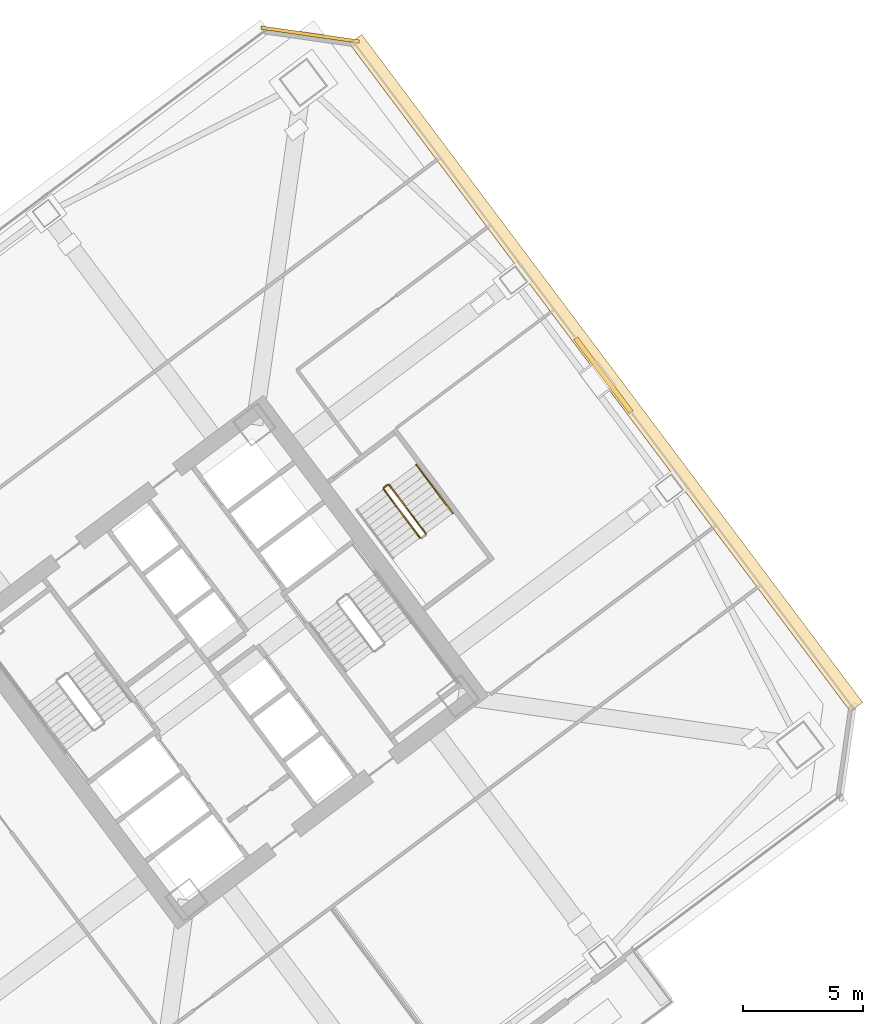
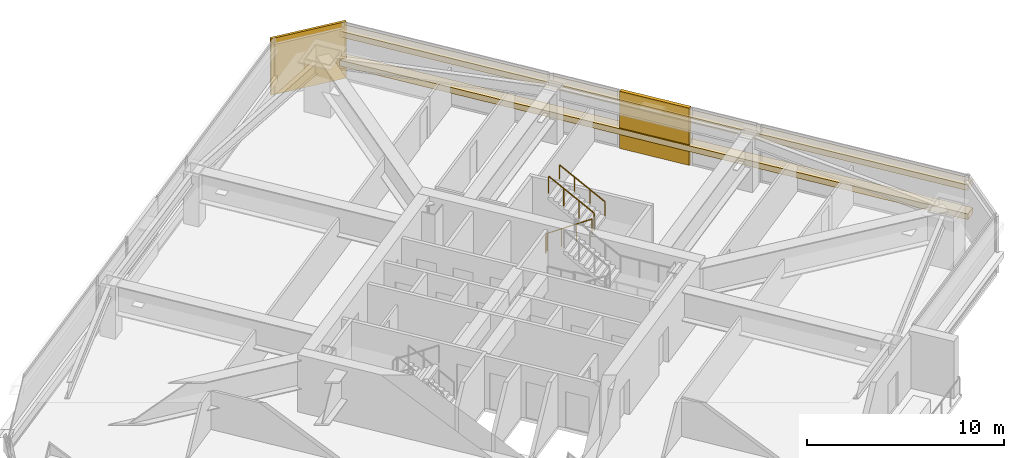
# One storey, part 49 of 49: 4 coverings, 4 railings.
"""IFC4 building model written with IfcOpenShell, lengths in metres."""

from ifc_helpers import new_model, si_unit, direction, frame, origin, origin_2d, place, context, subcontext, project, spatial, rectangle, extrude, material, layer, layer_set, type_object, element, save


model = new_model("IFC4")

# Units and contexts
model_context = context("Model", 3, precision=1e-05, world=origin(), true_north=direction((0.0, 1.0)))
body_context = subcontext(model_context, "Body", "Model", "MODEL_VIEW")
ifc_project = project(units=[si_unit("LENGTHUNIT", "METRE"), si_unit("AREAUNIT", "SQUARE_METRE"), si_unit("VOLUMEUNIT", "CUBIC_METRE"), si_unit("PLANEANGLEUNIT", "RADIAN"), si_unit("MASSUNIT", "GRAM", prefix="KILO")], contexts=[model_context])

# Site, building, storey
site_placement = place(None, origin())
site = spatial("IfcSite", under=ifc_project, at=site_placement, CompositionType="ELEMENT")
building_placement = place(site_placement, origin())
building = spatial("IfcBuilding", under=site, at=building_placement, Name="Tashvorn Skyway Center", CompositionType="ELEMENT")
storey_placement = place(building_placement, frame((0.0, 0.0, 106.25)))
storey = spatial("IfcBuildingStorey", under=building, at=storey_placement, Name="L28", CompositionType="ELEMENT", Elevation=106.25)

# Coverings
ifc_material_1 = material(Name="Precast concrete C40/50", Category="concrete")
ifc_layer_1 = layer(ifc_material_1, 0.199951171875)
ifc_layer_set_1 = layer_set([ifc_layer_1], Name="Precast concrete C40/50")
covering_type_1 = type_object("IfcCoveringType", Name="COV-BRACE-CLAD", PredefinedType="CLADDING", material=ifc_layer_set_1)
covering_1_placement = place(storey_placement, frame((129.904052734375, 43.927978515625, 0.0), z_axis=(0.0, 0.0, 1.0), x_axis=(0.600000004945, -0.799999996291, 0.0)))
element("IfcCovering", 1, at=covering_1_placement, inside=storey, type_object=covering_type_1, Name="Tower 2 L28 East Unitised Curtain Wall Mega-Brace Cladding Band 1", PredefinedType="CLADDING", context=body_context, shape_type="SweptSolid", body=[
    extrude(rectangle(XDim=3.840087890625, YDim=0.199951171875, at=origin_2d()), origin(), (0.0, 0.0, 1.0), 3.550048828125),
])
ifc_material_2 = material(Name="Perforated ceramic-coated bronze aluminium solar screen", Category="aluminium")
ifc_layer_2 = layer(ifc_material_2, 0.85009765625)
ifc_layer_set_2 = layer_set([ifc_layer_2], Name="Perforated ceramic-coated bronze aluminium solar screen")
covering_type_2 = type_object("IfcCoveringType", Name="COV-SOLAR-BAND", PredefinedType="CLADDING", material=ifc_layer_set_2)
for number, where, z_axis, x_axis, name in (
    (2, (130.01611328125, 44.011962890625, 0.919921875), (0.0, 0.0, 1.0), (0.600000004945, -0.799999996291, 0.0), "L28 Perforated Ceramic-Metal Solar Screen Louvre Band East 1"),
    (3, (130.01611328125, 44.011962890625, 2.7197265625), (0.0, 0.0, 1.0), (0.600000004945, -0.799999996291, 0.0), "L28 Perforated Ceramic-Metal Solar Screen Louvre Band East 2"),
):
    element("IfcCovering", number, at=place(storey_placement, frame(where, z_axis=z_axis, x_axis=x_axis)), inside=storey, type_object=covering_type_2, Name=name, PredefinedType="CLADDING", context=body_context, shape_type="SweptSolid", body=[
        extrude(rectangle(XDim=34.679931640625, YDim=0.639892578125, at=origin_2d()), origin(), (0.0, 0.0, 1.0), 0.360107421875),
    ])
ifc_layer_3 = layer(ifc_material_1, 0.35009765625)
ifc_layer_set_3 = layer_set([ifc_layer_3], Name="Precast concrete C40/50")
covering_type_3 = type_object("IfcCoveringType", Name="COV-STONE-TRIM", PredefinedType="CLADDING", material=ifc_layer_set_3)
covering_2_placement = place(storey_placement, frame((117.72412109375, 58.068115234375, 0.02001953125), z_axis=(0.0, 0.0, 1.0), x_axis=(0.989949494535, -0.141421350118, 0.0)))
element("IfcCovering", 4, at=covering_2_placement, inside=storey, type_object=covering_type_3, Name="Tower 2 L28 NE Mojave Limestone Corner Quoin", PredefinedType="CLADDING", context=body_context, shape_type="SweptSolid", body=[
    extrude(rectangle(XDim=4.119873046875, YDim=0.139892578125, at=origin_2d()), origin(), (0.0, 0.0, 1.0), 3.510009765625),
])

# Railings
ifc_material_3 = material(Name="Brushed stainless steel 316", Category="steel")
railing_type_1 = type_object("IfcRailingType", Name="RAIL-HAND-920", PredefinedType="HANDRAIL", material=ifc_material_3)
railing_1_placement = place(storey_placement, frame((123.64794921875, 38.18603515625, 1.952392578125)))
element("IfcRailing", 5, at=railing_1_placement, inside=storey, type_object=railing_type_1, Name="L28 ST-T2-3 stair handrail 2", PredefinedType="HANDRAIL", context=body_context, shape_type="SweptSolid", body=[
    extrude(rectangle(XDim=0.048095703125, YDim=0.048095703125, at=origin_2d()), frame((0.0, 0.0, 0.8759765625), z_axis=(-0.50674661542, 0.675634878657, 0.535467439255), x_axis=(-0.79998837352, -0.60001550166, 0.0)), (0.0, 0.0, 1.0), 2.983642578125),
    extrude(rectangle(XDim=0.0419921875, YDim=0.0419921875, at=origin_2d()), origin(), (0.0, 0.0, 1.0), 0.851806640625),
    extrude(rectangle(XDim=0.0419921875, YDim=0.0419921875, at=origin_2d()), frame((-0.50390625, 0.671875, 0.532470703125)), (0.0, 0.0, 1.0), 0.851806640625),
    extrude(rectangle(XDim=0.0419921875, YDim=0.0419921875, at=origin_2d()), frame((-1.008056640625, 1.343994140625, 1.065185546875)), (0.0, 0.0, 1.0), 0.851806640625),
    extrude(rectangle(XDim=0.0419921875, YDim=0.0419921875, at=origin_2d()), frame((-1.511962890625, 2.015869140625, 1.59765625)), (0.0, 0.0, 1.0), 0.851806640625),
])
ifc_material_4 = material(Name="Painted galvanized steel S355", Category="steel")
railing_type_2 = type_object("IfcRailingType", Name="RAIL-STGUARD-1100", PredefinedType="GUARDRAIL", material=ifc_material_4)
railing_2_placement = place(storey_placement, frame((120.77587890625, 39.181884765625, 0.177490234375)))
element("IfcRailing", 6, at=railing_2_placement, inside=storey, type_object=railing_type_2, Name="L28 ST-T2-3 stair guard 1", PredefinedType="GUARDRAIL", context=body_context, shape_type="SweptSolid", body=[
    extrude(rectangle(XDim=0.048095703125, YDim=0.048095703125, at=origin_2d()), frame((0.0, 0.0, 1.076171875), z_axis=(0.506829628838, -0.67563646195, 0.535386868177), x_axis=(0.799941867976, 0.600077501544, 0.0)), (0.0, 0.0, 1.0), 2.983642578125),
    extrude(rectangle(XDim=0.0419921875, YDim=0.0419921875, at=origin_2d()), origin(), (0.0, 0.0, 1.0), 1.052001953125),
    extrude(rectangle(XDim=0.0419921875, YDim=0.0419921875, at=origin_2d()), frame((0.504150390625, -0.671875, 0.532470703125)), (0.0, 0.0, 1.0), 1.052001953125),
    extrude(rectangle(XDim=0.0419921875, YDim=0.0419921875, at=origin_2d()), frame((1.008056640625, -1.343994140625, 1.06494140625)), (0.0, 0.0, 1.0), 1.052001953125),
    extrude(rectangle(XDim=0.0419921875, YDim=0.0419921875, at=origin_2d()), frame((1.51220703125, -2.015869140625, 1.597412109375)), (0.0, 0.0, 1.0), 1.052001953125),
])
railing_3_placement = place(storey_placement, frame((122.528076171875, 37.345947265625, 1.952392578125)))
element("IfcRailing", 7, at=railing_3_placement, inside=storey, type_object=railing_type_2, Name="L28 ST-T2-3 stair guard 3", PredefinedType="GUARDRAIL", context=body_context, shape_type="SweptSolid", body=[
    extrude(rectangle(XDim=0.048095703125, YDim=0.048095703125, at=origin_2d()), frame((0.0, 0.0, 1.076171875), z_axis=(-0.506718600913, 0.675679348675, 0.535437836974), x_axis=(-0.800023250257, -0.599968998406, 0.0)), (0.0, 0.0, 1.0), 2.98388671875),
    extrude(rectangle(XDim=0.0419921875, YDim=0.0419921875, at=origin_2d()), origin(), (0.0, 0.0, 1.0), 1.052001953125),
    extrude(rectangle(XDim=0.0419921875, YDim=0.0419921875, at=origin_2d()), frame((-0.50390625, 0.672119140625, 0.532470703125)), (0.0, 0.0, 1.0), 1.052001953125),
    extrude(rectangle(XDim=0.0419921875, YDim=0.0419921875, at=origin_2d()), frame((-1.008056640625, 1.343994140625, 1.065185546875)), (0.0, 0.0, 1.0), 1.052001953125),
    extrude(rectangle(XDim=0.0419921875, YDim=0.0419921875, at=origin_2d()), frame((-1.511962890625, 2.01611328125, 1.59765625)), (0.0, 0.0, 1.0), 1.052001953125),
])
railing_4_placement = place(storey_placement, frame((120.785888671875, 39.251953125, 0.0)))
element("IfcRailing", 8, at=railing_4_placement, inside=storey, type_object=railing_type_2, Name="L28 ST-T2-3 stair guard 4", PredefinedType="GUARDRAIL", context=body_context, shape_type="SweptSolid", body=[
    extrude(rectangle(XDim=0.048095703125, YDim=0.048095703125, at=origin_2d()), frame((0.0, 0.0, 1.076171875), z_axis=(0.8, 0.6, 0.0), x_axis=(-0.6, 0.8, 0.0)), (0.0, 0.0, 1.0), 0.2001953125),
    extrude(rectangle(XDim=0.0419921875, YDim=0.0419921875, at=origin_2d()), origin(), (0.0, 0.0, 1.0), 1.052001953125),
    extrude(rectangle(XDim=0.0419921875, YDim=0.0419921875, at=origin_2d()), frame((0.16015625, 0.1201171875, 0.0)), (0.0, 0.0, 1.0), 1.052001953125),
])

save(model, "model.ifc")
